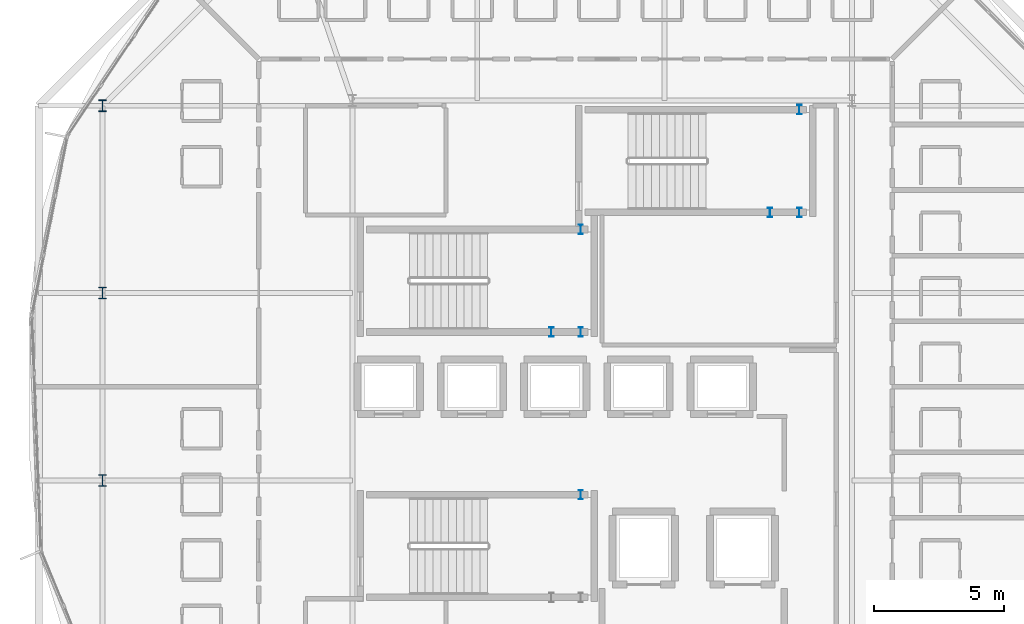
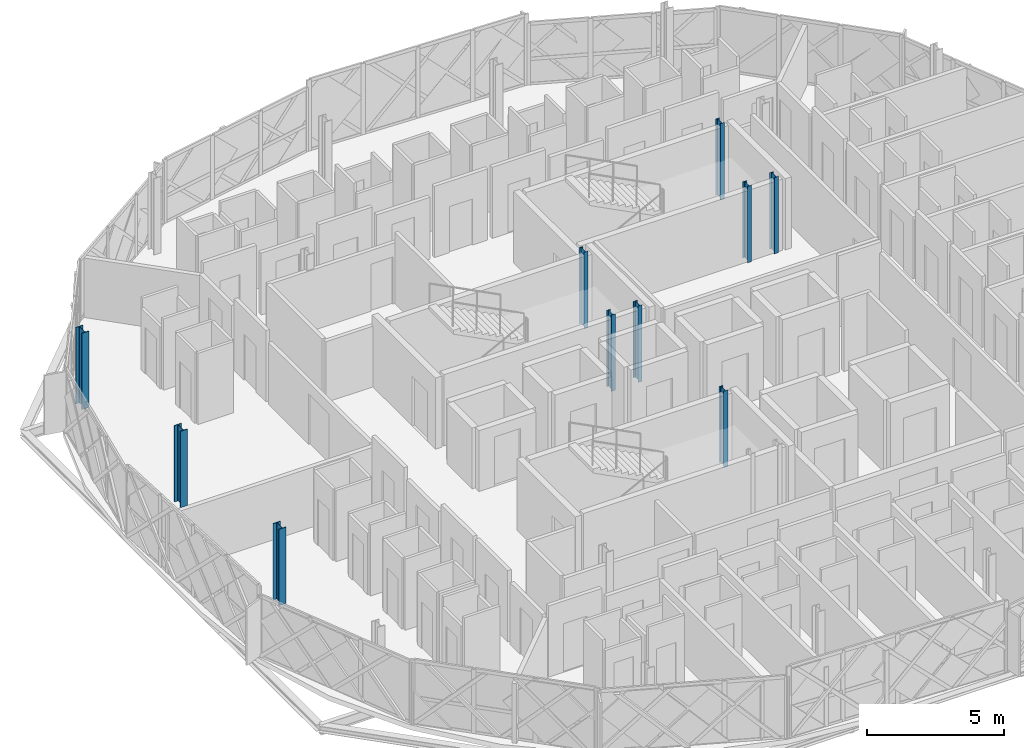
# One storey, part 2 of 24: 10 columns.
"""IFC4 building model written with IfcOpenShell, lengths in metres."""

from ifc_helpers import new_model, si_unit, direction, frame, origin, origin_2d, place, context, subcontext, project, spatial, i_section, extrude, material, material_profile, profile_set, type_object, element, save


model = new_model("IFC4")

# Units and contexts
model_context = context("Model", 3, precision=1e-05, world=origin(), true_north=direction((0.0, 1.0)))
body_context = subcontext(model_context, "Body", "Model", "MODEL_VIEW")
ifc_project = project(units=[si_unit("LENGTHUNIT", "METRE"), si_unit("AREAUNIT", "SQUARE_METRE"), si_unit("VOLUMEUNIT", "CUBIC_METRE"), si_unit("PLANEANGLEUNIT", "RADIAN"), si_unit("MASSUNIT", "GRAM", prefix="KILO")], contexts=[model_context])

# Site, building, storey
site_placement = place(None, origin())
site = spatial("IfcSite", under=ifc_project, at=site_placement, CompositionType="ELEMENT")
building_placement = place(site_placement, origin())
building = spatial("IfcBuilding", under=site, at=building_placement, Name="Zevrakil Square Congress Hotel", CompositionType="ELEMENT")
storey_placement = place(building_placement, frame((0.0, 0.0, 31.699951171875)))
storey = spatial("IfcBuildingStorey", under=building, at=storey_placement, Name="L09", CompositionType="ELEMENT", Elevation=31.699951171875)

# Columns
ifc_material_1 = material(Name="Steel S355", Category="steel")
ifc_material_profile_1 = material_profile(ifc_material_1, i_section(OverallWidth=0.300048828125, OverallDepth=0.449951171875, WebThickness=0.013916015625, FlangeThickness=0.02587890625, FilletRadius=0.027099609375, at=origin_2d()), Name="HEB 450")
ifc_profile_set_1 = profile_set([ifc_material_profile_1], Name="Steel S355")
column_type_1 = type_object("IfcColumnType", Name="COL-HEB450", PredefinedType="COLUMN", material=ifc_profile_set_1)
for number, where, z_axis, x_axis, name in (
    (1, (127.199951171875, 38.39990234375, 0.0), (0.0, 0.0, 1.0), (1.0, 0.0, 0.0), "L09 drum column DC13"),
    (2, (127.199951171875, 31.199951171875, 0.0), (0.0, 0.0, 1.0), (1.0, 0.0, 0.0), "L09 drum column DC14"),
    (3, (127.199951171875, 24.0, 0.0), (0.0, 0.0, 1.0), (1.0, 0.0, 0.0), "L09 drum column DC15"),
):
    element("IfcColumn", number, at=place(storey_placement, frame(where, z_axis=z_axis, x_axis=x_axis)), inside=storey, type_object=column_type_1, Name=name, PredefinedType="COLUMN", context=body_context, shape_type="SweptSolid", body=[
        extrude(i_section(OverallWidth=0.300048828125, OverallDepth=0.449951171875, WebThickness=0.013916015625, FlangeThickness=0.02587890625, FilletRadius=0.027099609375, at=origin_2d()), origin(), (0.0, 0.0, 1.0), 3.400146484375),
    ])
ifc_material_2 = material(Name="Steel S355", Category="steel")
ifc_material_profile_2 = material_profile(ifc_material_2, i_section(OverallWidth=0.169921875, OverallDepth=0.360107421875, WebThickness=0.008056640625, FlangeThickness=0.0126953125, FilletRadius=0.01806640625, at=origin_2d()), Name="IPE 360")
ifc_profile_set_2 = profile_set([ifc_material_profile_2], Name="Steel S355")
column_type_2 = type_object("IfcColumnType", Name="COL-PILASTER-SHS180", PredefinedType="PILASTER", material=ifc_profile_set_2)
for number, where, z_axis, x_axis, name in (
    (4, (145.580078125, 23.449951171875, 0.0), (0.0, 0.0, 1.0), (1.0, 0.0, 0.0), "L09 ST01 stair shaft post 3"),
    (5, (144.449951171875, 29.699951171875, 0.0), (0.0, 0.0, 1.0), (1.0, 0.0, 0.0), "L09 ST02 stair shaft post 1"),
    (6, (145.580078125, 29.699951171875, 0.0), (0.0, 0.0, 1.0), (1.0, 0.0, 0.0), "L09 ST02 stair shaft post 2"),
    (7, (145.580078125, 33.64990234375, 0.0), (0.0, 0.0, 1.0), (1.0, 0.0, 0.0), "L09 ST02 stair shaft post 3"),
    (8, (152.85009765625, 34.300048828125, 0.0), (0.0, 0.0, 1.0), (1.0, 0.0, 0.0), "L09 ST03 stair shaft post 1"),
    (9, (153.97998046875, 34.300048828125, 0.0), (0.0, 0.0, 1.0), (1.0, 0.0, 0.0), "L09 ST03 stair shaft post 2"),
    (10, (153.97998046875, 38.25, 0.0), (0.0, 0.0, 1.0), (1.0, 0.0, 0.0), "L09 ST03 stair shaft post 3"),
):
    element("IfcColumn", number, at=place(storey_placement, frame(where, z_axis=z_axis, x_axis=x_axis)), inside=storey, type_object=column_type_2, Name=name, PredefinedType="PILASTER", context=body_context, shape_type="SweptSolid", body=[
        extrude(i_section(OverallWidth=0.169921875, OverallDepth=0.360107421875, WebThickness=0.008056640625, FlangeThickness=0.0126953125, FilletRadius=0.01806640625, at=origin_2d()), origin(), (0.0, 0.0, 1.0), 3.400146484375),
    ])

save(model, "model.ifc")
